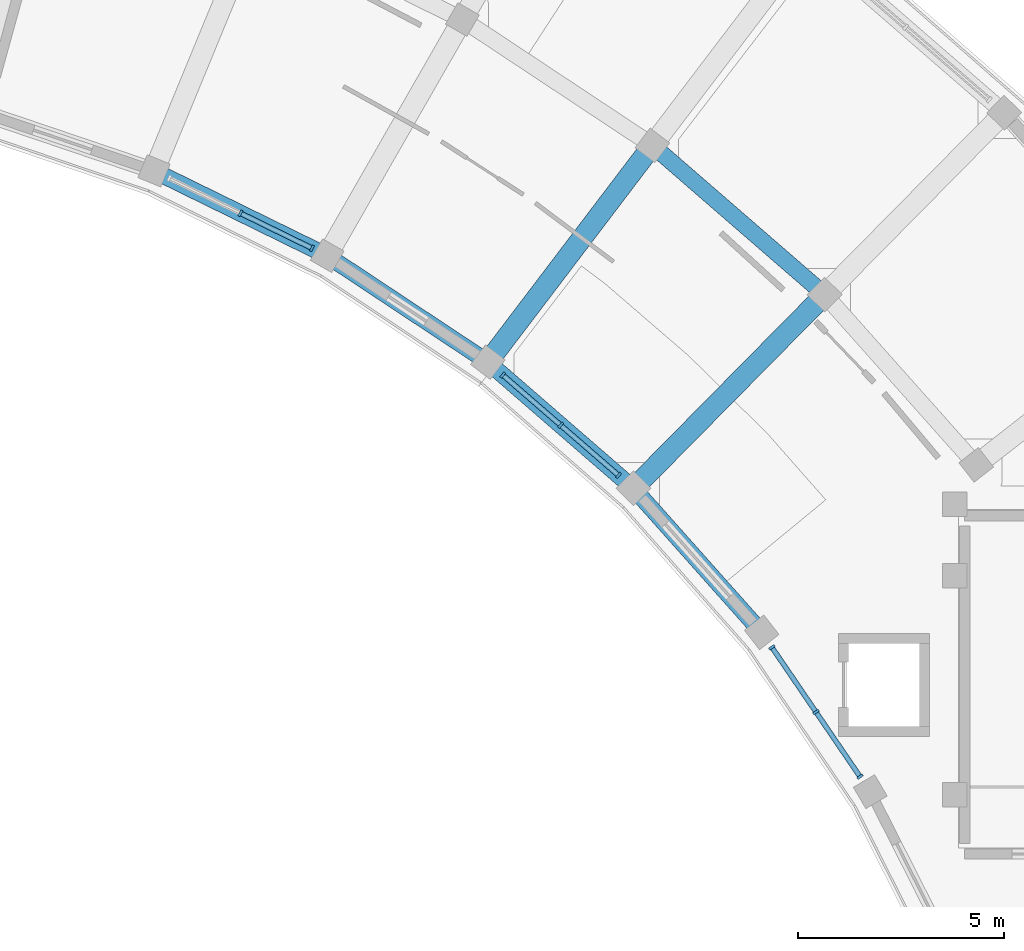
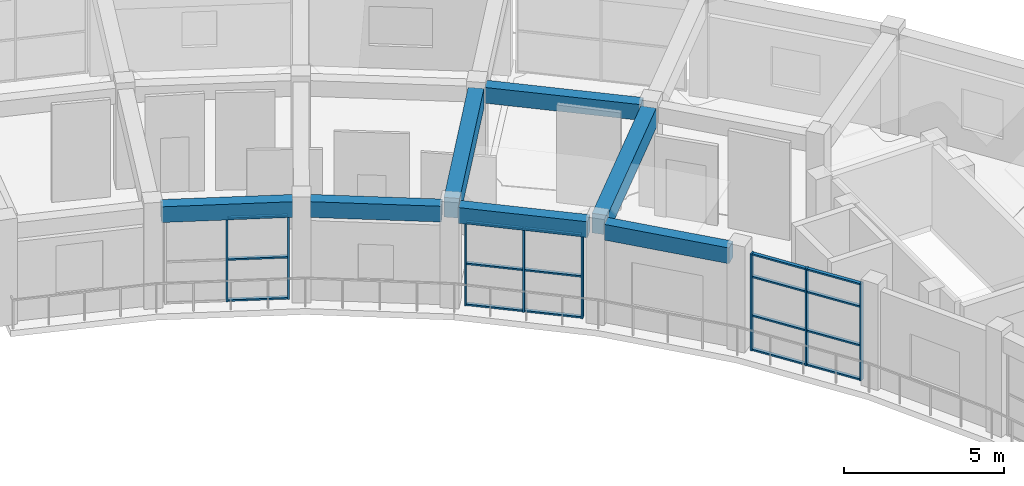
# One storey, part 13 of 29: 25 members, 7 beams, 3 elements without a shape of their own.
"""IFC4 building model written with IfcOpenShell, lengths in metres."""

from ifc_helpers import new_model, si_unit, direction, frame, origin, origin_2d, place, context, subcontext, project, spatial, rectangle, extrude, material, material_profile, profile_set, type_object, element, aggregate, save


model = new_model("IFC4")

# Units and contexts
model_context = context("Model", 3, precision=1e-05, world=origin(), true_north=direction((0.0, 1.0)))
body_context = subcontext(model_context, "Body", "Model", "MODEL_VIEW")
ifc_project = project(units=[si_unit("LENGTHUNIT", "METRE"), si_unit("AREAUNIT", "SQUARE_METRE"), si_unit("VOLUMEUNIT", "CUBIC_METRE"), si_unit("PLANEANGLEUNIT", "RADIAN"), si_unit("MASSUNIT", "GRAM", prefix="KILO")], contexts=[model_context])

# Site, building, storey
site_placement = place(None, origin())
site = spatial("IfcSite", under=ifc_project, at=site_placement, CompositionType="ELEMENT")
building_placement = place(site_placement, origin())
building = spatial("IfcBuilding", under=site, at=building_placement, Name="Saryqyr Civic Hall", CompositionType="ELEMENT")
storey_placement = place(building_placement, frame((0.0, 0.0, 25.35009765625)))
storey = spatial("IfcBuildingStorey", under=building, at=storey_placement, Name="L06", CompositionType="ELEMENT", Elevation=25.35009765625)

# Curtain wall, members
ifc_material_1 = material(Name="Anodised aluminium and triple low-E glass", Category="aluminium")
curtain_wall_type_1 = type_object("IfcCurtainWallType", Name="ENV-CW-STD-44", PredefinedType="NOTDEFINED", material=ifc_material_1)
curtain_wall_1_placement = place(storey_placement, origin())
curtain_wall_1 = element("IfcCurtainWall", 1, at=curtain_wall_1_placement, inside=storey, type_object=curtain_wall_type_1, Name="Curtain wall V6-CWI-L06-04", PredefinedType="NOTDEFINED")
ifc_material_2 = material(Name="Anodised aluminium", Category="aluminium")
ifc_material_profile_1 = material_profile(ifc_material_2, rectangle(XDim=0.06005859375, YDim=0.159912109375, at=origin_2d()), Name="ALU MULLION 60x160")
ifc_profile_set_1 = profile_set([ifc_material_profile_1], Name="Anodised aluminium")
member_type_1 = type_object("IfcMemberType", Name="ENV-CW-MUL-180", PredefinedType="MULLION", material=ifc_profile_set_1)
member_1_placement = place(storey_placement, frame((87.919921875, 102.77587890625, 0.0), z_axis=(0.0, 0.0, 1.0), x_axis=(-0.563129803105, 0.826368455869, 0.0)))
member_1 = element("IfcMember", 2, at=member_1_placement, type_object=member_type_1, Name="CW-44 mullion 1", PredefinedType="MULLION", context=body_context, shape_type="SweptSolid", body=[
    extrude(rectangle(XDim=0.06005859375, YDim=0.159912109375, at=origin_2d()), origin(), (0.0, 0.0, 1.0), 3.699951171875),
])
member_2_placement = place(storey_placement, frame((86.85205078125, 104.3427734375, 0.0), z_axis=(0.0, 0.0, 1.0), x_axis=(-0.563129803105, 0.826368455869, 0.0)))
member_2 = element("IfcMember", 3, at=member_2_placement, type_object=member_type_1, Name="CW-44 mullion 2", PredefinedType="MULLION", context=body_context, shape_type="SweptSolid", body=[
    extrude(rectangle(XDim=0.06005859375, YDim=0.159912109375, at=origin_2d()), origin(), (0.0, 0.0, 1.0), 3.699951171875),
])
member_3_placement = place(storey_placement, frame((85.7841796875, 105.90966796875, 0.0), z_axis=(0.0, 0.0, 1.0), x_axis=(-0.563129803105, 0.826368455869, 0.0)))
member_3 = element("IfcMember", 4, at=member_3_placement, type_object=member_type_1, Name="CW-44 mullion 3", PredefinedType="MULLION", context=body_context, shape_type="SweptSolid", body=[
    extrude(rectangle(XDim=0.06005859375, YDim=0.159912109375, at=origin_2d()), origin(), (0.0, 0.0, 1.0), 3.699951171875),
])

curtain_wall_type_2 = type_object("IfcCurtainWallType", Name="ENV-CW-STD-27", PredefinedType="NOTDEFINED", material=ifc_material_1)
curtain_wall_2_placement = place(storey_placement, origin())
curtain_wall_2 = element("IfcCurtainWall", 5, at=curtain_wall_2_placement, inside=storey, type_object=curtain_wall_type_2, Name="Curtain wall V6-CWI-L06-06", PredefinedType="NOTDEFINED")
member_4_placement = place(storey_placement, frame((82.064208984375, 110.080810546875, 0.0), z_axis=(0.0, 0.0, 1.0), x_axis=(-0.755651502076, 0.654973898267, 0.0)))
member_4 = element("IfcMember", 6, at=member_4_placement, type_object=member_type_1, Name="CW-27 mullion 1", PredefinedType="MULLION", context=body_context, shape_type="SweptSolid", body=[
    extrude(rectangle(XDim=0.06005859375, YDim=0.159912109375, at=origin_2d()), origin(), (0.0, 0.0, 1.0), 3.184814453125),
])
member_5_placement = place(storey_placement, frame((80.660400390625, 111.297607421875, 0.0), z_axis=(0.0, 0.0, 1.0), x_axis=(-0.755651502076, 0.654973898267, 0.0)))
member_5 = element("IfcMember", 7, at=member_5_placement, type_object=member_type_1, Name="CW-27 mullion 2", PredefinedType="MULLION", context=body_context, shape_type="SweptSolid", body=[
    extrude(rectangle(XDim=0.06005859375, YDim=0.159912109375, at=origin_2d()), origin(), (0.0, 0.0, 1.0), 3.184814453125),
])
member_6_placement = place(storey_placement, frame((79.256591796875, 112.514404296875, 0.0), z_axis=(0.0, 0.0, 1.0), x_axis=(-0.755651502076, 0.654973898267, 0.0)))
member_6 = element("IfcMember", 8, at=member_6_placement, type_object=member_type_1, Name="CW-27 mullion 3", PredefinedType="MULLION", context=body_context, shape_type="SweptSolid", body=[
    extrude(rectangle(XDim=0.06005859375, YDim=0.159912109375, at=origin_2d()), origin(), (0.0, 0.0, 1.0), 3.184814453125),
])

curtain_wall_type_3 = type_object("IfcCurtainWallType", Name="ENV-CW-STD-25", PredefinedType="NOTDEFINED", material=ifc_material_1)
curtain_wall_3_placement = place(storey_placement, origin())
curtain_wall_3 = element("IfcCurtainWall", 9, at=curtain_wall_3_placement, inside=storey, type_object=curtain_wall_type_3, Name="Curtain wall V6-CWI-L06-08", PredefinedType="NOTDEFINED")
member_7_placement = place(storey_placement, frame((74.62890625, 115.58984375, 0.0), z_axis=(0.0, 0.0, 1.0), x_axis=(-0.897961859945, 0.440073287175, 0.0)))
member_7 = element("IfcMember", 10, at=member_7_placement, type_object=member_type_1, Name="CW-25 mullion 1", PredefinedType="MULLION", context=body_context, shape_type="SweptSolid", body=[
    extrude(rectangle(XDim=0.06005859375, YDim=0.159912109375, at=origin_2d()), origin(), (0.0, 0.0, 1.0), 3.184814453125),
])
member_8_placement = place(storey_placement, frame((72.896728515625, 116.438720703125, 0.0), z_axis=(0.0, 0.0, 1.0), x_axis=(-0.897961859945, 0.440073287175, 0.0)))
member_8 = element("IfcMember", 11, at=member_8_placement, type_object=member_type_1, Name="CW-25 mullion 2", PredefinedType="MULLION", context=body_context, shape_type="SweptSolid", body=[
    extrude(rectangle(XDim=0.06005859375, YDim=0.159912109375, at=origin_2d()), origin(), (0.0, 0.0, 1.0), 3.184814453125),
])

# Member
ifc_material_profile_2 = material_profile(ifc_material_2, rectangle(XDim=0.1201171875, YDim=0.06005859375, at=origin_2d()), Name="ALU TRANSOM 120x60")
ifc_profile_set_2 = profile_set([ifc_material_profile_2], Name="Anodised aluminium")
member_type_2 = type_object("IfcMemberType", Name="ENV-CW-TRN-150", PredefinedType="USERDEFINED", material=ifc_profile_set_2)
member_9_placement = place(storey_placement, frame((87.903076171875, 102.800537109375, 0.02978515625), z_axis=(-0.563200673278, 0.826320156852, 0.0), x_axis=(-0.826320156852, -0.563200673278, 0.0)))
member_9 = element("IfcMember", 12, at=member_9_placement, type_object=member_type_2, Name="CW-44 transom 1.1", ObjectType="TRANSOM", PredefinedType="USERDEFINED", context=body_context, shape_type="SweptSolid", body=[
    extrude(rectangle(XDim=0.1201171875, YDim=0.06005859375, at=origin_2d()), origin(), (0.0, 0.0, 1.0), 1.836181640625),
])

member_10_placement = place(storey_placement, frame((87.903076171875, 102.800537109375, 1.331787109375), z_axis=(-0.563200673278, 0.826320156852, 0.0), x_axis=(-0.826320156852, -0.563200673278, 0.0)))
member_10 = element("IfcMember", 13, at=member_10_placement, type_object=member_type_2, Name="CW-44 transom 1.2", ObjectType="TRANSOM", PredefinedType="USERDEFINED", context=body_context, shape_type="SweptSolid", body=[
    extrude(rectangle(XDim=0.1201171875, YDim=0.06005859375, at=origin_2d()), origin(), (0.0, 0.0, 1.0), 1.836181640625),
])

member_11_placement = place(storey_placement, frame((87.903076171875, 102.800537109375, 2.81201171875), z_axis=(-0.563200673278, 0.826320156852, 0.0), x_axis=(-0.826320156852, -0.563200673278, 0.0)))
member_11 = element("IfcMember", 14, at=member_11_placement, type_object=member_type_2, Name="CW-44 transom 1.3", ObjectType="TRANSOM", PredefinedType="USERDEFINED", context=body_context, shape_type="SweptSolid", body=[
    extrude(rectangle(XDim=0.1201171875, YDim=0.06005859375, at=origin_2d()), origin(), (0.0, 0.0, 1.0), 1.836181640625),
])

member_12_placement = place(storey_placement, frame((87.903076171875, 102.800537109375, 3.669921875), z_axis=(-0.563200673278, 0.826320156852, 0.0), x_axis=(-0.826320156852, -0.563200673278, 0.0)))
member_12 = element("IfcMember", 15, at=member_12_placement, type_object=member_type_2, Name="CW-44 transom 1.4", ObjectType="TRANSOM", PredefinedType="USERDEFINED", context=body_context, shape_type="SweptSolid", body=[
    extrude(rectangle(XDim=0.1201171875, YDim=0.06005859375, at=origin_2d()), origin(), (0.0, 0.0, 1.0), 1.836181640625),
])

member_13_placement = place(storey_placement, frame((86.835205078125, 104.367431640625, 0.02978515625), z_axis=(-0.56304801064, 0.826424187518, 0.0), x_axis=(-0.826424187518, -0.56304801064, 0.0)))
member_13 = element("IfcMember", 16, at=member_13_placement, type_object=member_type_2, Name="CW-44 transom 2.1", ObjectType="TRANSOM", PredefinedType="USERDEFINED", context=body_context, shape_type="SweptSolid", body=[
    extrude(rectangle(XDim=0.1201171875, YDim=0.06005859375, at=origin_2d()), origin(), (0.0, 0.0, 1.0), 1.83642578125),
])

member_14_placement = place(storey_placement, frame((86.835205078125, 104.367431640625, 1.331787109375), z_axis=(-0.56304801064, 0.826424187518, 0.0), x_axis=(-0.826424187518, -0.56304801064, 0.0)))
member_14 = element("IfcMember", 17, at=member_14_placement, type_object=member_type_2, Name="CW-44 transom 2.2", ObjectType="TRANSOM", PredefinedType="USERDEFINED", context=body_context, shape_type="SweptSolid", body=[
    extrude(rectangle(XDim=0.1201171875, YDim=0.06005859375, at=origin_2d()), origin(), (0.0, 0.0, 1.0), 1.83642578125),
])

member_15_placement = place(storey_placement, frame((86.835205078125, 104.367431640625, 2.81201171875), z_axis=(-0.56304801064, 0.826424187518, 0.0), x_axis=(-0.826424187518, -0.56304801064, 0.0)))
member_15 = element("IfcMember", 18, at=member_15_placement, type_object=member_type_2, Name="CW-44 transom 2.3", ObjectType="TRANSOM", PredefinedType="USERDEFINED", context=body_context, shape_type="SweptSolid", body=[
    extrude(rectangle(XDim=0.1201171875, YDim=0.06005859375, at=origin_2d()), origin(), (0.0, 0.0, 1.0), 1.83642578125),
])

member_16_placement = place(storey_placement, frame((86.835205078125, 104.367431640625, 3.669921875), z_axis=(-0.56304801064, 0.826424187518, 0.0), x_axis=(-0.826424187518, -0.56304801064, 0.0)))
member_16 = element("IfcMember", 19, at=member_16_placement, type_object=member_type_2, Name="CW-44 transom 2.4", ObjectType="TRANSOM", PredefinedType="USERDEFINED", context=body_context, shape_type="SweptSolid", body=[
    extrude(rectangle(XDim=0.1201171875, YDim=0.06005859375, at=origin_2d()), origin(), (0.0, 0.0, 1.0), 1.83642578125),
])

aggregate(curtain_wall_1, [member_1, member_2, member_3, member_9, member_10, member_11, member_12, member_13, member_14, member_15, member_16])

member_17_placement = place(storey_placement, frame((82.04150390625, 110.1005859375, 0.02978515625), z_axis=(-0.755698045408, 0.654920196793, 0.0), x_axis=(-0.654920196793, -0.755698045408, 0.0)))
member_17 = element("IfcMember", 20, at=member_17_placement, type_object=member_type_2, Name="CW-27 transom 1.1", ObjectType="TRANSOM", PredefinedType="USERDEFINED", context=body_context, shape_type="SweptSolid", body=[
    extrude(rectangle(XDim=0.1201171875, YDim=0.06005859375, at=origin_2d()), origin(), (0.0, 0.0, 1.0), 1.797607421875),
])

member_18_placement = place(storey_placement, frame((82.04150390625, 110.1005859375, 1.593017578125), z_axis=(-0.755698045408, 0.654920196793, 0.0), x_axis=(-0.654920196793, -0.755698045408, 0.0)))
member_18 = element("IfcMember", 21, at=member_18_placement, type_object=member_type_2, Name="CW-27 transom 1.2", ObjectType="TRANSOM", PredefinedType="USERDEFINED", context=body_context, shape_type="SweptSolid", body=[
    extrude(rectangle(XDim=0.1201171875, YDim=0.06005859375, at=origin_2d()), origin(), (0.0, 0.0, 1.0), 1.797607421875),
])

member_19_placement = place(storey_placement, frame((82.04150390625, 110.1005859375, 3.15478515625), z_axis=(-0.755698045408, 0.654920196793, 0.0), x_axis=(-0.654920196793, -0.755698045408, 0.0)))
member_19 = element("IfcMember", 22, at=member_19_placement, type_object=member_type_2, Name="CW-27 transom 1.3", ObjectType="TRANSOM", PredefinedType="USERDEFINED", context=body_context, shape_type="SweptSolid", body=[
    extrude(rectangle(XDim=0.1201171875, YDim=0.06005859375, at=origin_2d()), origin(), (0.0, 0.0, 1.0), 1.797607421875),
])

member_20_placement = place(storey_placement, frame((80.6376953125, 111.317138671875, 0.02978515625), z_axis=(-0.755630827507, 0.654997750012, 0.0), x_axis=(-0.654997750012, -0.755630827507, 0.0)))
member_20 = element("IfcMember", 23, at=member_20_placement, type_object=member_type_2, Name="CW-27 transom 2.1", ObjectType="TRANSOM", PredefinedType="USERDEFINED", context=body_context, shape_type="SweptSolid", body=[
    extrude(rectangle(XDim=0.1201171875, YDim=0.06005859375, at=origin_2d()), origin(), (0.0, 0.0, 1.0), 1.797607421875),
])

member_21_placement = place(storey_placement, frame((80.6376953125, 111.317138671875, 1.593017578125), z_axis=(-0.755630827507, 0.654997750012, 0.0), x_axis=(-0.654997750012, -0.755630827507, 0.0)))
member_21 = element("IfcMember", 24, at=member_21_placement, type_object=member_type_2, Name="CW-27 transom 2.2", ObjectType="TRANSOM", PredefinedType="USERDEFINED", context=body_context, shape_type="SweptSolid", body=[
    extrude(rectangle(XDim=0.1201171875, YDim=0.06005859375, at=origin_2d()), origin(), (0.0, 0.0, 1.0), 1.797607421875),
])

member_22_placement = place(storey_placement, frame((80.6376953125, 111.317138671875, 3.15478515625), z_axis=(-0.755630827507, 0.654997750012, 0.0), x_axis=(-0.654997750012, -0.755630827507, 0.0)))
member_22 = element("IfcMember", 25, at=member_22_placement, type_object=member_type_2, Name="CW-27 transom 2.3", ObjectType="TRANSOM", PredefinedType="USERDEFINED", context=body_context, shape_type="SweptSolid", body=[
    extrude(rectangle(XDim=0.1201171875, YDim=0.06005859375, at=origin_2d()), origin(), (0.0, 0.0, 1.0), 1.797607421875),
])

aggregate(curtain_wall_2, [member_4, member_5, member_6, member_17, member_18, member_19, member_20, member_21, member_22])

member_23_placement = place(storey_placement, frame((74.60205078125, 115.60302734375, 0.02978515625), z_axis=(-0.897952102471, 0.44009319657, 0.0), x_axis=(-0.44009319657, -0.897952102471, 0.0)))
member_23 = element("IfcMember", 26, at=member_23_placement, type_object=member_type_2, Name="CW-25 transom 1.1", ObjectType="TRANSOM", PredefinedType="USERDEFINED", context=body_context, shape_type="SweptSolid", body=[
    extrude(rectangle(XDim=0.1201171875, YDim=0.06005859375, at=origin_2d()), origin(), (0.0, 0.0, 1.0), 1.868896484375),
])

member_24_placement = place(storey_placement, frame((74.60205078125, 115.60302734375, 1.593017578125), z_axis=(-0.897952102471, 0.44009319657, 0.0), x_axis=(-0.44009319657, -0.897952102471, 0.0)))
member_24 = element("IfcMember", 27, at=member_24_placement, type_object=member_type_2, Name="CW-25 transom 1.2", ObjectType="TRANSOM", PredefinedType="USERDEFINED", context=body_context, shape_type="SweptSolid", body=[
    extrude(rectangle(XDim=0.1201171875, YDim=0.06005859375, at=origin_2d()), origin(), (0.0, 0.0, 1.0), 1.868896484375),
])

member_25_placement = place(storey_placement, frame((74.60205078125, 115.60302734375, 3.15478515625), z_axis=(-0.897952102471, 0.44009319657, 0.0), x_axis=(-0.44009319657, -0.897952102471, 0.0)))
member_25 = element("IfcMember", 28, at=member_25_placement, type_object=member_type_2, Name="CW-25 transom 1.3", ObjectType="TRANSOM", PredefinedType="USERDEFINED", context=body_context, shape_type="SweptSolid", body=[
    extrude(rectangle(XDim=0.1201171875, YDim=0.06005859375, at=origin_2d()), origin(), (0.0, 0.0, 1.0), 1.868896484375),
])

aggregate(curtain_wall_3, [member_7, member_8, member_23, member_24, member_25])

# Beams
ifc_material_3 = material(Name="Concrete C35/45", Category="concrete")
ifc_material_profile_3 = material_profile(ifc_material_3, rectangle(XDim=0.39990234375, YDim=0.60009765625, at=origin_2d()), Name="RC 400x600")
ifc_profile_set_3 = profile_set([ifc_material_profile_3], Name="Concrete C35/45")
beam_type_1 = type_object("IfcBeamType", Name="STR-BM-RC400x600", PredefinedType="BEAM", material=ifc_profile_set_3)
beam_1_placement = place(storey_placement, frame((86.85498046875, 114.644287109375, 3.510009765625), z_axis=(-0.755658334576, 0.654966015443, 0.0), x_axis=(-0.654966015443, -0.755658334576, 0.0)))
element("IfcBeam", 29, at=beam_1_placement, inside=storey, type_object=beam_type_1, Name="Beam V6-CBM-MID06-L06", PredefinedType="BEAM", context=body_context, shape_type="SweptSolid", body=[
    extrude(rectangle(XDim=0.39990234375, YDim=0.60009765625, at=origin_2d()), origin(), (0.0, 0.0, 1.0), 4.977783203125),
])
ifc_material_profile_4 = material_profile(ifc_material_3, rectangle(XDim=0.39990234375, YDim=0.60009765625, at=origin_2d()), Name="RC 400x600")
ifc_profile_set_4 = profile_set([ifc_material_profile_4], Name="Concrete C35/45")
beam_type_2 = type_object("IfcBeamType", Name="STR-BM-RC400x600-EXT", PredefinedType="BEAM", material=ifc_profile_set_4)
beam_2_placement = place(storey_placement, frame((85.352783203125, 106.47998046875, 3.510009765625), z_axis=(-0.664933037621, 0.746902975948, 0.0), x_axis=(-0.746902975948, -0.664933037621, 0.0)))
element("IfcBeam", 30, at=beam_2_placement, inside=storey, type_object=beam_type_2, Name="Beam V6-CBM-IN05-L06", PredefinedType="BEAM", context=body_context, shape_type="SweptSolid", body=[
    extrude(rectangle(XDim=0.39990234375, YDim=0.60009765625, at=origin_2d()), origin(), (0.0, 0.0, 1.0), 4.125),
])
beam_3_placement = place(storey_placement, frame((82.218994140625, 109.946533203125, 3.510009765625), z_axis=(-0.755618782617, 0.655011645207, 0.0), x_axis=(-0.655011645207, -0.755618782617, 0.0)))
element("IfcBeam", 31, at=beam_3_placement, inside=storey, type_object=beam_type_2, Name="Beam V6-CBM-IN06-L06", PredefinedType="BEAM", context=body_context, shape_type="SweptSolid", body=[
    extrude(rectangle(XDim=0.39990234375, YDim=0.60009765625, at=origin_2d()), origin(), (0.0, 0.0, 1.0), 4.125244140625),
])
beam_4_placement = place(storey_placement, frame((78.664794921875, 112.98046875, 3.510009765625), z_axis=(-0.833757941264, 0.552130143516, 0.0), x_axis=(-0.552130143516, -0.833757941264, 0.0)))
element("IfcBeam", 32, at=beam_4_placement, inside=storey, type_object=beam_type_2, Name="Beam V6-CBM-IN07-L06", PredefinedType="BEAM", context=body_context, shape_type="SweptSolid", body=[
    extrude(rectangle(XDim=0.39990234375, YDim=0.60009765625, at=origin_2d()), origin(), (0.0, 0.0, 1.0), 4.12548828125),
])
beam_5_placement = place(storey_placement, frame((74.7490234375, 115.531005859375, 3.510009765625), z_axis=(-0.897961536886, 0.440073946371, 0.0), x_axis=(-0.440073946371, -0.897961536886, 0.0)))
element("IfcBeam", 33, at=beam_5_placement, inside=storey, type_object=beam_type_2, Name="Beam V6-CBM-IN08-L06", PredefinedType="BEAM", context=body_context, shape_type="SweptSolid", body=[
    extrude(rectangle(XDim=0.39990234375, YDim=0.60009765625, at=origin_2d()), origin(), (0.0, 0.0, 1.0), 4.125244140625),
])
ifc_material_4 = material(Name="Concrete C40/50", Category="concrete")
ifc_material_profile_5 = material_profile(ifc_material_4, rectangle(XDim=0.5, YDim=0.75, at=origin_2d()), Name="RC 500x750")
ifc_profile_set_5 = profile_set([ifc_material_profile_5], Name="Concrete C40/50")
beam_type_3 = type_object("IfcBeamType", Name="STR-BM-RC500x750", PredefinedType="BEAM", material=ifc_profile_set_5)
for number, where, z_axis, x_axis, name in (
    (34, (82.6201171875, 109.962158203125, 3.434814453125), (0.702389990829, 0.711792315766, 0.0), (-0.711792315766, 0.702389990829, 0.0), "Beam V6-RBM-A06-L06"),
    (35, (79.060302734375, 113.047607421875, 3.434814453125), (0.60481209734, 0.796368210636, 0.0), (-0.796368210636, 0.60481209734, 0.0), "Beam V6-RBM-A07-L06"),
):
    element("IfcBeam", number, at=place(storey_placement, frame(where, z_axis=z_axis, x_axis=x_axis)), inside=storey, type_object=beam_type_3, Name=name, PredefinedType="BEAM", context=body_context, shape_type="SweptSolid", body=[
        extrude(rectangle(XDim=0.5, YDim=0.75, at=origin_2d()), origin(), (0.0, 0.0, 1.0), 6.050048828125),
    ])

save(model, "model.ifc")
